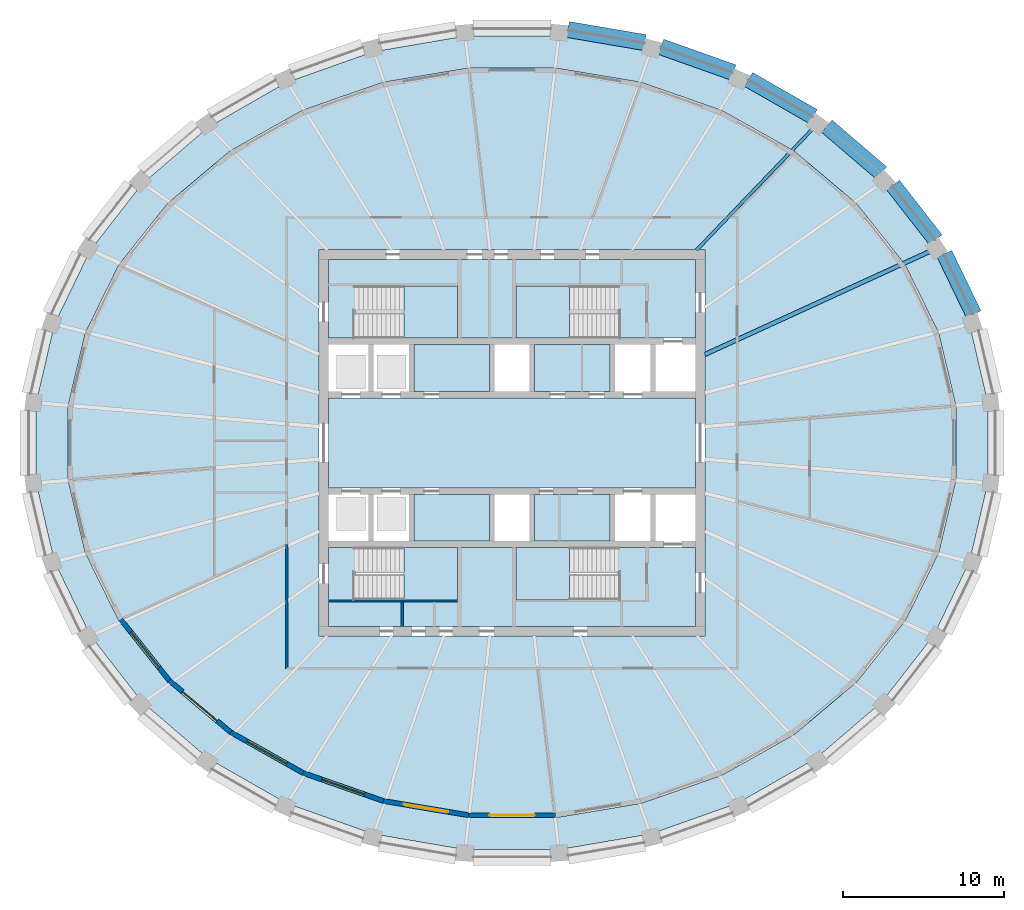
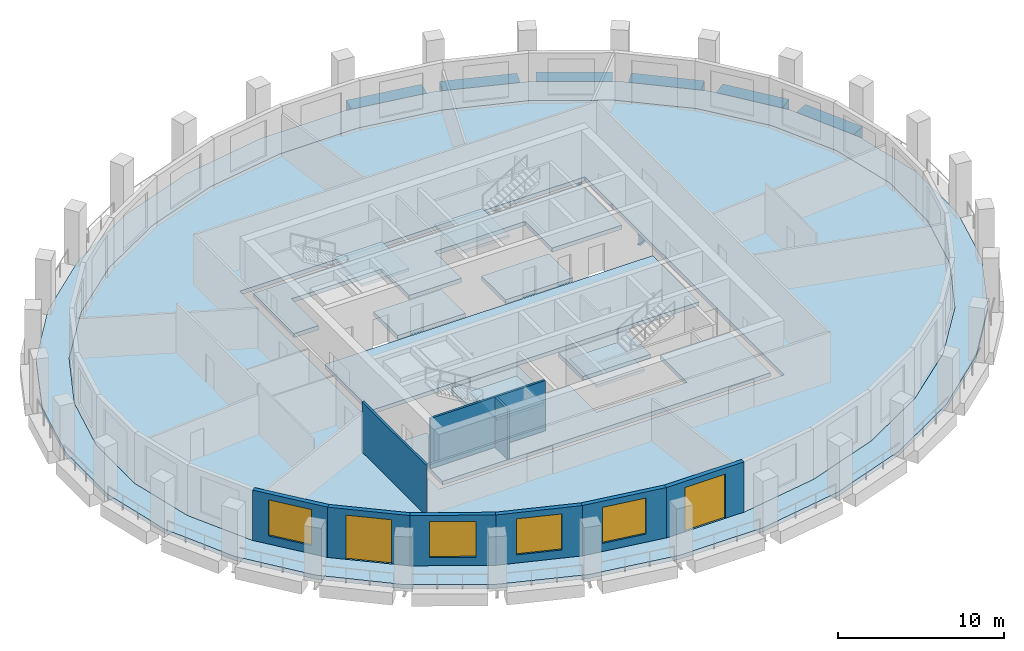
# One storey, part 2 of 10: 13 slabs, 9 walls, 8 beams, 4 windows, 2 doors, 6 openings, 4 elements without a shape of their own.
"""IFC4 building model written with IfcOpenShell, lengths in metres."""

import ifcopenshell
import ifcopenshell.guid

model = None  # the IFC model being written
_history = None  # IfcOwnerHistory: only IFC2X3 demands one
_inside = {}  # id of a spatial element -> (the spatial element, [elements in it])
_under = {}  # id of a project, library or spatial element -> (it, [spatial elements below it])
_declared = {}  # id of a project -> (the project, [libraries it declares])
_typed = {}  # id of a type object -> (the type object, [elements of that type])
_made_of = {}  # id of a material, layer set ... -> (it, [elements and type objects made of it])


def new_model(schema):
    """Start an empty IFC model of exactly this schema.

    Asked for "IFC4X3", IfcOpenShell would pick the latest addendum, in which some entities
    have other attributes; the version numbers below select the first issue.
    IFC2X3 requires an IfcOwnerHistory on every rooted entity: one is made here for all.
    """
    global model, _history
    if schema == "IFC4X3":
        model = ifcopenshell.file(schema_version=(4, 3, 0, 0))
    else:
        model = ifcopenshell.file(schema=schema)
    _inside.clear()
    _under.clear()
    _declared.clear()
    _typed.clear()
    _made_of.clear()
    _history = None
    if model.schema == "IFC2X3":
        org = make("IfcOrganization", Name="unknown")
        user = make(
            "IfcPersonAndOrganization",
            ThePerson=make("IfcPerson", FamilyName="unknown"),
            TheOrganization=org,
        )
        app = make(
            "IfcApplication",
            ApplicationDeveloper=org,
            Version="unknown",
            ApplicationFullName="unknown",
            ApplicationIdentifier="unknown",
        )
        _history = make(
            "IfcOwnerHistory",
            OwningUser=user,
            OwningApplication=app,
            ChangeAction="ADDED",
            CreationDate=0,
        )
    return model


def make(cls, **values):
    """One entity of the class cls with the attributes given. An attribute that is None is left unset."""
    return model.create_entity(
        cls, **{name: value for name, value in values.items() if value is not None}
    )


def rooted(cls, **values):
    """An entity with a GlobalId (a new one), such as an element, a storey or a relation."""
    return make(cls, GlobalId=ifcopenshell.guid.new(), OwnerHistory=_history, **values)


def si_unit(unit_type, name, prefix=None):
    """IfcSIUnit, for example si_unit("LENGTHUNIT", "METRE", prefix="MILLI")."""
    return make("IfcSIUnit", UnitType=unit_type, Prefix=prefix, Name=name)


def assignment(units):
    """IfcUnitAssignment: the units of a project."""
    return None if units is None else make("IfcUnitAssignment", Units=units)


def point(xyz):
    """IfcCartesianPoint."""
    return None if xyz is None else make("IfcCartesianPoint", Coordinates=xyz)


def direction(xyz):
    """IfcDirection."""
    return None if xyz is None else make("IfcDirection", DirectionRatios=xyz)


def frame(location, z_axis=None, x_axis=None):
    """IfcAxis2Placement3D, a coordinate frame: its origin and axes. An axis left out is left unset."""
    return make(
        "IfcAxis2Placement3D",
        Location=point(location),
        Axis=direction(z_axis),
        RefDirection=direction(x_axis),
    )


def frame_2d(location, x_axis=None):
    """IfcAxis2Placement2D, a coordinate frame in the plane: its origin and x axis."""
    return make(
        "IfcAxis2Placement2D", Location=point(location), RefDirection=direction(x_axis)
    )


def origin():
    """The frame at (0, 0, 0) with its axes left unset."""
    return frame((0.0, 0.0, 0.0))


def origin_2d():
    """The frame at (0, 0) in the plane with its x axis left unset."""
    return frame_2d((0.0, 0.0))


def place(relative_to, where):
    """IfcLocalPlacement: puts the frame where relative to a parent placement (None: the world)."""
    return make(
        "IfcLocalPlacement", PlacementRelTo=relative_to, RelativePlacement=where
    )


def context(
    kind, dimensions, precision=None, world=None, true_north=None, identifier=None
):
    """IfcGeometricRepresentationContext, for example the 3D "Model" context."""
    return make(
        "IfcGeometricRepresentationContext",
        ContextIdentifier=identifier,
        ContextType=kind,
        CoordinateSpaceDimension=dimensions,
        Precision=precision,
        WorldCoordinateSystem=world,
        TrueNorth=true_north,
    )


def subcontext(parent, identifier, kind, view, scale=None):
    """IfcGeometricRepresentationSubContext, for example "Body" below "Model"."""
    return make(
        "IfcGeometricRepresentationSubContext",
        ContextIdentifier=identifier,
        ContextType=kind,
        ParentContext=parent,
        TargetScale=scale,
        TargetView=view,
    )


def project(units=None, contexts=None):
    """IfcProject with its units and contexts."""
    return rooted(
        "IfcProject",
        Name="project",
        RepresentationContexts=contexts,
        UnitsInContext=assignment(units),
    )


def spatial(cls, under=None, at=None, **own):
    """A site, building, storey or space (cls), placed at a placement, below another one or the project."""
    s = rooted(cls, ObjectPlacement=at, **own)
    if under is not None:
        _under.setdefault(under.id(), (under, []))[1].append(s)
    return s


def polyline(points):
    """IfcPolyline through the points."""
    return make("IfcPolyline", Points=[point(p) for p in points])


def profile(cls, at=None, kind="AREA", **sizes):
    """A parametric profile (cls). Its sizes go by their IFC names, for example OverallWidth=200.0."""
    return make(cls, ProfileType=kind, Position=at, **sizes)


def rectangle(**sizes):
    """IfcRectangleProfileDef."""
    return profile("IfcRectangleProfileDef", **sizes)


def i_section(**sizes):
    """IfcIShapeProfileDef."""
    return profile("IfcIShapeProfileDef", **sizes)


def outline(outer, holes=None, kind="AREA"):
    """IfcArbitraryClosedProfileDef: a profile drawn as a closed curve; with holes, ...WithVoids."""
    if holes is None:
        return make("IfcArbitraryClosedProfileDef", ProfileType=kind, OuterCurve=outer)
    return make(
        "IfcArbitraryProfileDefWithVoids",
        ProfileType=kind,
        OuterCurve=outer,
        InnerCurves=holes,
    )


def extrude(swept, where, along, depth):
    """IfcExtrudedAreaSolid: the profile swept, set in the frame where, extruded along a direction by depth."""
    return make(
        "IfcExtrudedAreaSolid",
        SweptArea=swept,
        Position=where,
        ExtrudedDirection=direction(along),
        Depth=depth,
    )


def shape(context_of_items, identifier, shape_type, items):
    """IfcShapeRepresentation: the items that make up one representation, for example the "Body"."""
    return make(
        "IfcShapeRepresentation",
        ContextOfItems=context_of_items,
        RepresentationIdentifier=identifier,
        RepresentationType=shape_type,
        Items=items,
    )


def material(Name=None, Category=None):
    """IfcMaterial."""
    return make("IfcMaterial", Name=Name, Category=Category)


def layer(
    of_material, thickness, ventilated=None, Name=None, Category=None, Priority=None
):
    """IfcMaterialLayer: one layer of a wall or slab, of a material (None: an air gap)."""
    return make(
        "IfcMaterialLayer",
        Material=of_material,
        LayerThickness=thickness,
        IsVentilated=ventilated,
        Name=Name,
        Category=Category,
        Priority=Priority,
    )


def layer_set(layers, Name=None):
    """IfcMaterialLayerSet."""
    return make("IfcMaterialLayerSet", MaterialLayers=layers, LayerSetName=Name)


def material_profile(
    of_material, cross_section, Name=None, Category=None, Priority=None
):
    """IfcMaterialProfile: a cross section and its material."""
    return make(
        "IfcMaterialProfile",
        Name=Name,
        Material=of_material,
        Profile=cross_section,
        Priority=Priority,
        Category=Category,
    )


def profile_set(profiles, Name=None, composite=None):
    """IfcMaterialProfileSet."""
    return make(
        "IfcMaterialProfileSet",
        Name=Name,
        MaterialProfiles=profiles,
        CompositeProfile=composite,
    )


def made_of(thing, what):
    """Note that an element or type object is made of a material, layer set ...; save() writes the relation."""
    if what is not None:
        _made_of.setdefault(what.id(), (what, []))[1].append(thing)
    return thing


def type_object(cls, material=None, **own):
    """A type object (cls), such as IfcWallType, which elements share."""
    return made_of(rooted(cls, **own), material)


def element(
    cls,
    number,
    at=None,
    inside=None,
    cuts=None,
    type_object=None,
    material=None,
    context=None,
    identifier="Body",
    shape_type=None,
    held_by="IfcProductDefinitionShape",
    body=None,
    shapes=None,
    **own,
):
    """One element of the class cls, such as IfcWall. Its Tag is "e" and its number.

    at: its placement. inside: the storey or other place that contains it. cuts: it is an
    opening in that element (IfcRelVoidsElement). A single representation is given by context,
    identifier, shape_type and body (its items); several are given by shapes. held_by: the class
    of the entity that holds the representations. save() writes the other relations.
    """
    e = rooted(cls, Tag="e%d" % number, ObjectPlacement=at, **own)
    if body is not None:
        shapes = [shape(context, identifier, shape_type, body)]
    if shapes is not None:
        e.Representation = make(held_by, Representations=shapes)
    if inside is not None:
        _inside.setdefault(inside.id(), (inside, []))[1].append(e)
    if cuts is not None:
        rooted(
            "IfcRelVoidsElement", RelatingBuildingElement=cuts, RelatedOpeningElement=e
        )
    if type_object is not None:
        _typed.setdefault(type_object.id(), (type_object, []))[1].append(e)
    return made_of(e, material)


def fill(opening, filler):
    """IfcRelFillsElement: the door or window that sits in an opening."""
    return rooted(
        "IfcRelFillsElement",
        RelatingOpeningElement=opening,
        RelatedBuildingElement=filler,
    )


def aggregate(whole, parts):
    """IfcRelAggregates: a whole, such as a stair, and the parts it consists of."""
    return rooted("IfcRelAggregates", RelatingObject=whole, RelatedObjects=parts)


def save(model, path):
    """Write the relations noted so far, then the file.

    IfcRelAggregates (storeys below a building ...), IfcRelContainedInSpatialStructure (elements
    in a storey), IfcRelDefinesByType, IfcRelAssociatesMaterial and IfcRelDeclares: one each for
    every whole, place, type object, material and project.
    """
    for whole, parts in _under.values():
        aggregate(whole, parts)
    for where, things in _inside.values():
        rooted(
            "IfcRelContainedInSpatialStructure",
            RelatedElements=things,
            RelatingStructure=where,
        )
    for kind, things in _typed.values():
        rooted("IfcRelDefinesByType", RelatedObjects=things, RelatingType=kind)
    for what, things in _made_of.values():
        rooted("IfcRelAssociatesMaterial", RelatedObjects=things, RelatingMaterial=what)
    for by, libraries in _declared.values():
        rooted("IfcRelDeclares", RelatingContext=by, RelatedDefinitions=libraries)
    model.write(path)


model = new_model("IFC4")

# Units and contexts
model_context = context("Model", 3, precision=1e-05, world=origin(), true_north=direction((0.0, 1.0)))
body_context = subcontext(model_context, "Body", "Model", "MODEL_VIEW")
ifc_project = project(units=[si_unit("LENGTHUNIT", "METRE"), si_unit("AREAUNIT", "SQUARE_METRE"), si_unit("VOLUMEUNIT", "CUBIC_METRE"), si_unit("PLANEANGLEUNIT", "RADIAN"), si_unit("MASSUNIT", "GRAM", prefix="KILO")], contexts=[model_context])

# Site, building, storey
site_placement = place(None, origin())
site = spatial("IfcSite", under=ifc_project, at=site_placement, CompositionType="ELEMENT")
building_placement = place(site_placement, origin())
building = spatial("IfcBuilding", under=site, at=building_placement, Name="Halqa Exchange Tower", CompositionType="ELEMENT")
storey_placement = place(building_placement, frame((0.0, 0.0, 264.300048828125)))
storey = spatial("IfcBuildingStorey", under=building, at=storey_placement, Name="L61", CompositionType="ELEMENT", Elevation=264.300048828125)

# Beams
ifc_material_1 = material(Name="Steel S355", Category="steel")
ifc_material_profile_1 = material_profile(ifc_material_1, i_section(OverallWidth=0.18994140625, OverallDepth=0.449951171875, WebThickness=0.009521484375, FlangeThickness=0.0146484375, FilletRadius=0.02099609375, at=origin_2d()), Name="IPE 450")
ifc_profile_set_1 = profile_set([ifc_material_profile_1], Name="Steel S355")
beam_type_1 = type_object("IfcBeamType", Name="Floor beam IPE 450", PredefinedType="BEAM", material=ifc_profile_set_1)
beam_1_placement = place(storey_placement, frame((11.462890625, 11.97216796875, -0.525146484375), z_axis=(0.691571250257, 0.722308248477, 0.0), x_axis=(-0.722308248477, 0.691571250257, 0.0)))
element("IfcBeam", 1, at=beam_1_placement, inside=storey, type_object=beam_type_1, Name="Radial beam 5", PredefinedType="BEAM", context=body_context, shape_type="SweptSolid", body=[
    extrude(i_section(OverallWidth=0.18994140625, OverallDepth=0.449951171875, WebThickness=0.009521484375, FlangeThickness=0.0146484375, FilletRadius=0.02099609375, at=origin_2d()), origin(), (0.0, 0.0, 1.0), 10.8896484375),
])
ifc_material_profile_2 = material_profile(ifc_material_1, i_section(OverallWidth=0.264892578125, OverallDepth=0.7529296875, WebThickness=0.01318359375, FlangeThickness=0.01708984375, FilletRadius=0.01708984375, at=origin_2d()), Name="IPE 750x147")
ifc_profile_set_2 = profile_set([ifc_material_profile_2], Name="Steel S355")
beam_type_2 = type_object("IfcBeamType", Name="Floor beam IPE 750x147", PredefinedType="BEAM", material=ifc_profile_set_2)
beam_2_placement = place(storey_placement, frame((11.972412109375, 5.485107421875, -0.676513671875), z_axis=(0.909125405475, 0.416522504938, 0.0), x_axis=(-0.416522504938, 0.909125405475, 0.0)))
element("IfcBeam", 2, at=beam_2_placement, inside=storey, type_object=beam_type_2, Name="Radial beam 3", PredefinedType="BEAM", context=body_context, shape_type="SweptSolid", body=[
    extrude(i_section(OverallWidth=0.264892578125, OverallDepth=0.7529296875, WebThickness=0.01318359375, FlangeThickness=0.01708984375, FilletRadius=0.01708984375, at=origin_2d()), origin(), (0.0, 0.0, 1.0), 15.897216796875),
])
ifc_material_2 = material(Name="Concrete C60/75", Category="concrete")
ifc_material_profile_3 = material_profile(ifc_material_2, rectangle(XDim=1.0, YDim=0.89990234375, at=origin_2d()), Name="1000 x 900")
ifc_profile_set_3 = profile_set([ifc_material_profile_3], Name="Concrete C60/75")
beam_type_3 = type_object("IfcBeamType", Name="RC spandrel beam 1000 x 900 C60/75", PredefinedType="SPANDREL", material=ifc_profile_set_3)
beam_3_placement = place(storey_placement, frame((28.68115234375, 7.989501953125, -0.449951171875), z_axis=(-0.435052831025, 0.900404927917, 0.0), x_axis=(-0.900404927917, -0.435052831025, 0.0)))
element("IfcBeam", 3, at=beam_3_placement, inside=storey, type_object=beam_type_3, Name="Spandrel 2", PredefinedType="SPANDREL", context=body_context, shape_type="SweptSolid", body=[
    extrude(rectangle(XDim=1.0, YDim=0.89990234375, at=origin_2d()), origin(), (0.0, 0.0, 1.0), 4.15771484375),
])
beam_4_placement = place(storey_placement, frame((26.32080078125, 12.62060546875, -0.449951171875), z_axis=(-0.614851813623, 0.788642661339, 0.0), x_axis=(-0.788642661339, -0.614851813623, 0.0)))
element("IfcBeam", 4, at=beam_4_placement, inside=storey, type_object=beam_type_3, Name="Spandrel 3", PredefinedType="SPANDREL", context=body_context, shape_type="SweptSolid", body=[
    extrude(rectangle(XDim=1.0, YDim=0.89990234375, at=origin_2d()), origin(), (0.0, 0.0, 1.0), 4.301513671875),
])
beam_5_placement = place(storey_placement, frame((22.955078125, 16.7685546875, -0.449951171875), z_axis=(-0.75927203536, 0.650773367864, 0.0), x_axis=(-0.650773367864, -0.75927203536, 0.0)))
element("IfcBeam", 5, at=beam_5_placement, inside=storey, type_object=beam_type_3, Name="Spandrel 4", PredefinedType="SPANDREL", context=body_context, shape_type="SweptSolid", body=[
    extrude(rectangle(XDim=1.0, YDim=0.89990234375, at=origin_2d()), origin(), (0.0, 0.0, 1.0), 4.466552734375),
])
beam_6_placement = place(storey_placement, frame((18.7109375, 20.277099609375, -0.449951171875), z_axis=(-0.867755612748, 0.496991143326, 0.0), x_axis=(-0.496991143326, -0.867755612748, 0.0)))
element("IfcBeam", 6, at=beam_6_placement, inside=storey, type_object=beam_type_3, Name="Spandrel 5", PredefinedType="SPANDREL", context=body_context, shape_type="SweptSolid", body=[
    extrude(rectangle(XDim=1.0, YDim=0.89990234375, at=origin_2d()), origin(), (0.0, 0.0, 1.0), 4.62646484375),
])
beam_7_placement = place(storey_placement, frame((13.747802734375, 23.01220703125, -0.449951171875), z_axis=(-0.942372957307, 0.334564208094, 0.0), x_axis=(-0.334564208094, -0.942372957307, 0.0)))
element("IfcBeam", 7, at=beam_7_placement, inside=storey, type_object=beam_type_3, Name="Spandrel 6", PredefinedType="SPANDREL", context=body_context, shape_type="SweptSolid", body=[
    extrude(rectangle(XDim=1.0, YDim=0.89990234375, at=origin_2d()), origin(), (0.0, 0.0, 1.0), 4.7578125),
])
beam_8_placement = place(storey_placement, frame((8.252685546875, 24.867919921875, -0.449951171875), z_axis=(-0.985781051948, 0.168034870249, 0.0), x_axis=(-0.168034870249, -0.985781051948, 0.0)))
element("IfcBeam", 8, at=beam_8_placement, inside=storey, type_object=beam_type_3, Name="Spandrel 7", PredefinedType="SPANDREL", context=body_context, shape_type="SweptSolid", body=[
    extrude(rectangle(XDim=1.0, YDim=0.89990234375, at=origin_2d()), origin(), (0.0, 0.0, 1.0), 4.843994140625),
])

# Slabs
ifc_layer_1 = layer(ifc_material_2, 0.300048828125)
ifc_layer_set_1 = layer_set([ifc_layer_1], Name="Concrete C60/75")
slab_type_1 = type_object("IfcSlabType", Name="Core floor slab 300", PredefinedType="FLOOR", material=ifc_layer_set_1)
slab_1_placement = place(storey_placement, frame((0.0, 0.0, -0.300048828125)))
element("IfcSlab", 9, at=slab_1_placement, inside=storey, type_object=slab_type_1, Name="Core floor slab", PredefinedType="FLOOR", context=body_context, shape_type="SweptSolid", body=[
    extrude(outline(polyline([(-11.39990234375, 2.800048828125), (11.39990234375, 2.800048828125), (11.39990234375, -2.800048828125), (-11.39990234375, -2.800048828125), (-11.39990234375, 2.800048828125)])), origin(), (0.0, 0.0, 1.0), 0.300048828125),
])
slab_2_placement = place(storey_placement, frame((0.0, 0.0, -0.300048828125)))
element("IfcSlab", 10, at=slab_2_placement, inside=storey, type_object=slab_type_1, Name="Core floor slab", PredefinedType="FLOOR", context=body_context, shape_type="SweptSolid", body=[
    extrude(outline(polyline([(-11.39990234375, 11.39990234375), (11.39990234375, 11.39990234375), (11.39990234375, 6.5), (6.550048828125, 6.5), (6.550048828125, 9.75), (0.25, 9.75), (0.25, 6.5), (-3.39990234375, 6.5), (-3.39990234375, 9.75), (-9.699951171875, 9.75), (-9.699951171875, 6.5), (-11.39990234375, 6.5), (-11.39990234375, 11.39990234375)])), origin(), (0.0, 0.0, 1.0), 0.300048828125),
])
slab_3_placement = place(storey_placement, frame((0.0, 0.0, -0.300048828125)))
element("IfcSlab", 11, at=slab_3_placement, inside=storey, type_object=slab_type_1, Name="Core floor slab", PredefinedType="FLOOR", context=body_context, shape_type="SweptSolid", body=[
    extrude(outline(polyline([(-11.39990234375, -6.5), (-9.699951171875, -6.5), (-9.699951171875, -9.75), (-3.39990234375, -9.75), (-3.39990234375, -6.5), (0.25, -6.5), (0.25, -9.75), (6.550048828125, -9.75), (6.550048828125, -6.5), (11.39990234375, -6.5), (11.39990234375, -11.39990234375), (-11.39990234375, -11.39990234375), (-11.39990234375, -6.5)])), origin(), (0.0, 0.0, 1.0), 0.300048828125),
])
slab_4_placement = place(storey_placement, frame((0.0, 0.0, -0.300048828125)))
element("IfcSlab", 12, at=slab_4_placement, inside=storey, type_object=slab_type_1, Name="Core floor slab", PredefinedType="FLOOR", context=body_context, shape_type="SweptSolid", body=[
    extrude(outline(polyline([(-1.39990234375, -3.199951171875), (-1.39990234375, -6.10009765625), (-6.10009765625, -6.10009765625), (-6.10009765625, -3.199951171875), (-1.39990234375, -3.199951171875)])), origin(), (0.0, 0.0, 1.0), 0.300048828125),
])
slab_5_placement = place(storey_placement, frame((0.0, 0.0, -0.300048828125)))
element("IfcSlab", 13, at=slab_5_placement, inside=storey, type_object=slab_type_1, Name="Core floor slab", PredefinedType="FLOOR", context=body_context, shape_type="SweptSolid", body=[
    extrude(outline(polyline([(-1.39990234375, 3.199951171875), (-6.10009765625, 3.199951171875), (-6.10009765625, 6.10009765625), (-1.39990234375, 6.10009765625), (-1.39990234375, 3.199951171875)])), origin(), (0.0, 0.0, 1.0), 0.300048828125),
])
slab_6_placement = place(storey_placement, frame((0.0, 0.0, -0.300048828125)))
element("IfcSlab", 14, at=slab_6_placement, inside=storey, type_object=slab_type_1, Name="Core floor slab", PredefinedType="FLOOR", context=body_context, shape_type="SweptSolid", body=[
    extrude(outline(polyline([(6.10009765625, -3.199951171875), (6.10009765625, -6.10009765625), (1.39990234375, -6.10009765625), (1.39990234375, -3.199951171875), (6.10009765625, -3.199951171875)])), origin(), (0.0, 0.0, 1.0), 0.300048828125),
])
slab_7_placement = place(storey_placement, frame((0.0, 0.0, -0.300048828125)))
element("IfcSlab", 15, at=slab_7_placement, inside=storey, type_object=slab_type_1, Name="Core floor slab", PredefinedType="FLOOR", context=body_context, shape_type="SweptSolid", body=[
    extrude(outline(polyline([(6.10009765625, 6.10009765625), (6.10009765625, 3.199951171875), (1.39990234375, 3.199951171875), (1.39990234375, 6.10009765625), (6.10009765625, 6.10009765625)])), origin(), (0.0, 0.0, 1.0), 0.300048828125),
])
ifc_material_3 = material(Name="Concrete C40/50", Category="concrete")
ifc_layer_2 = layer(ifc_material_3, 0.300048828125)
ifc_layer_set_2 = layer_set([ifc_layer_2], Name="Concrete C40/50")
slab_type_2 = type_object("IfcSlabType", Name="RC floor slab 300", PredefinedType="FLOOR", material=ifc_layer_set_2)
slab_8_placement = place(storey_placement, frame((0.0, 0.0, -0.300048828125)))
element("IfcSlab", 16, at=slab_8_placement, inside=storey, type_object=slab_type_2, Name="Floor slab", PredefinedType="FLOOR", context=body_context, shape_type="SweptSolid", body=[
    extrude(outline(polyline([(27.57861328125, 2.298583984375), (26.514404296875, 6.805908203125), (24.428955078125, 11.048095703125), (21.40478515625, 14.861083984375), (17.560791015625, 18.10009765625), (13.045166015625, 20.64208984375), (8.031494140625, 22.391845703125), (2.711669921875, 23.283447265625), (-2.711669921875, 23.283447265625), (-8.031494140625, 22.391845703125), (-13.045166015625, 20.64208984375), (-17.560791015625, 18.10009765625), (-21.40478515625, 14.861083984375), (-24.428955078125, 11.048095703125), (-26.514404296875, 6.805908203125), (-27.57861328125, 2.298583984375), (-27.57861328125, -2.298583984375), (-26.514404296875, -6.805908203125), (-24.428955078125, -11.048095703125), (-21.40478515625, -14.861083984375), (-17.560791015625, -18.10009765625), (-13.045166015625, -20.64208984375), (-8.031494140625, -22.391845703125), (-2.711669921875, -23.283447265625), (2.711669921875, -23.283447265625), (8.031494140625, -22.391845703125), (13.045166015625, -20.64208984375), (17.560791015625, -18.10009765625), (21.40478515625, -14.861083984375), (24.428955078125, -11.048095703125), (26.514404296875, -6.805908203125), (27.57861328125, -2.298583984375), (27.57861328125, 2.298583984375)]), holes=[polyline([(-12.0, -12.0), (12.0, -12.0), (12.0, 12.0), (-12.0, 12.0), (-12.0, -12.0)])]), origin(), (0.0, 0.0, 1.0), 0.300048828125),
])
ifc_layer_3 = layer(ifc_material_3, 0.300048828125)
ifc_layer_set_3 = layer_set([ifc_layer_3], Name="Concrete C40/50")
slab_type_3 = type_object("IfcSlabType", Name="RC loggia slab 300", PredefinedType="FLOOR", material=ifc_layer_set_3)
slab_9_placement = place(storey_placement, frame((0.0, 0.0, -0.300048828125)))
element("IfcSlab", 17, at=slab_9_placement, inside=storey, type_object=slab_type_3, Name="Loggia slab", PredefinedType="FLOOR", context=body_context, shape_type="SweptSolid", body=[
    extrude(outline(polyline([(29.56494140625, 2.480712890625), (29.56494140625, -2.480712890625), (28.43505859375, -7.349609375), (26.21630859375, -11.94140625), (22.989501953125, -16.080322265625), (18.875732421875, -19.6064453125), (14.031494140625, -22.380859375), (8.64306640625, -24.294189453125), (2.918701171875, -25.27001953125), (-2.918701171875, -25.27001953125), (-8.64306640625, -24.294189453125), (-14.031494140625, -22.380859375), (-18.875732421875, -19.6064453125), (-22.989501953125, -16.080322265625), (-26.21630859375, -11.94140625), (-28.43505859375, -7.349609375), (-29.56494140625, -2.480712890625), (-29.56494140625, 2.480712890625), (-28.43505859375, 7.349609375), (-26.21630859375, 11.94140625), (-22.989501953125, 16.080322265625), (-18.875732421875, 19.6064453125), (-14.031494140625, 22.380859375), (-8.64306640625, 24.294189453125), (-2.918701171875, 25.27001953125), (2.918701171875, 25.27001953125), (8.64306640625, 24.294189453125), (14.031494140625, 22.380859375), (18.875732421875, 19.6064453125), (22.989501953125, 16.080322265625), (26.21630859375, 11.94140625), (28.43505859375, 7.349609375), (29.56494140625, 2.480712890625)]), holes=[polyline([(27.57861328125, 2.298583984375), (26.514404296875, 6.805908203125), (24.428955078125, 11.048095703125), (21.40478515625, 14.861083984375), (17.560791015625, 18.10009765625), (13.045166015625, 20.64208984375), (8.031494140625, 22.391845703125), (2.711669921875, 23.283447265625), (-2.711669921875, 23.283447265625), (-8.031494140625, 22.391845703125), (-13.045166015625, 20.64208984375), (-17.560791015625, 18.10009765625), (-21.40478515625, 14.861083984375), (-24.428955078125, 11.048095703125), (-26.514404296875, 6.805908203125), (-27.57861328125, 2.298583984375), (-27.57861328125, -2.298583984375), (-26.514404296875, -6.805908203125), (-24.428955078125, -11.048095703125), (-21.40478515625, -14.861083984375), (-17.560791015625, -18.10009765625), (-13.045166015625, -20.64208984375), (-8.031494140625, -22.391845703125), (-2.711669921875, -23.283447265625), (2.711669921875, -23.283447265625), (8.031494140625, -22.391845703125), (13.045166015625, -20.64208984375), (17.560791015625, -18.10009765625), (21.40478515625, -14.861083984375), (24.428955078125, -11.048095703125), (26.514404296875, -6.805908203125), (27.57861328125, -2.298583984375), (27.57861328125, 2.298583984375)])]), origin(), (0.0, 0.0, 1.0), 0.300048828125),
])

# Stair, slab
ifc_material_4 = material(Name="Concrete C30/37", Category="concrete")
stair_type = type_object("IfcStairType", Name="Exit stair 1500 wide", PredefinedType="HALF_TURN_STAIR", material=ifc_material_4)
stair_1_placement = place(storey_placement, origin())
stair_1 = element("IfcStair", 18, at=stair_1_placement, inside=storey, type_object=stair_type, Name="Exit stair ST1", PredefinedType="HALF_TURN_STAIR")
ifc_layer_4 = layer(ifc_material_4, 0.199951171875)
ifc_layer_set_4 = layer_set([ifc_layer_4], Name="Concrete C30/37")
slab_type_4 = type_object("IfcSlabType", Name="Stair landing 200 slab", PredefinedType="LANDING", material=ifc_layer_set_4)
slab_10_placement = place(storey_placement, frame((0.0, 0.0, 1.800048828125)))
slab_10 = element("IfcSlab", 19, at=slab_10_placement, type_object=slab_type_4, Name="ST1 landing 1", PredefinedType="LANDING", context=body_context, shape_type="SweptSolid", body=[
    extrude(outline(polyline([(-6.719970703125, 6.5), (-3.39990234375, 6.5), (-3.39990234375, 9.75), (-6.719970703125, 9.75), (-6.719970703125, 6.5)])), origin(), (0.0, 0.0, 1.0), 0.199951171875),
])
aggregate(stair_1, [slab_10])

stair_2_placement = place(storey_placement, origin())
stair_2 = element("IfcStair", 20, at=stair_2_placement, inside=storey, type_object=stair_type, Name="Exit stair ST2", PredefinedType="HALF_TURN_STAIR")
slab_11_placement = place(storey_placement, frame((0.0, 0.0, 1.800048828125)))
slab_11 = element("IfcSlab", 21, at=slab_11_placement, type_object=slab_type_4, Name="ST2 landing 1", PredefinedType="LANDING", context=body_context, shape_type="SweptSolid", body=[
    extrude(outline(polyline([(0.25, 6.5), (3.570068359375, 6.5), (3.570068359375, 9.75), (0.25, 9.75), (0.25, 6.5)])), origin(), (0.0, 0.0, 1.0), 0.199951171875),
])
aggregate(stair_2, [slab_11])

stair_3_placement = place(storey_placement, origin())
stair_3 = element("IfcStair", 22, at=stair_3_placement, inside=storey, type_object=stair_type, Name="Exit stair ST3", PredefinedType="HALF_TURN_STAIR")
slab_12_placement = place(storey_placement, frame((0.0, 0.0, 1.800048828125)))
slab_12 = element("IfcSlab", 23, at=slab_12_placement, type_object=slab_type_4, Name="ST3 landing 1", PredefinedType="LANDING", context=body_context, shape_type="SweptSolid", body=[
    extrude(outline(polyline([(-6.719970703125, -9.75), (-3.39990234375, -9.75), (-3.39990234375, -6.5), (-6.719970703125, -6.5), (-6.719970703125, -9.75)])), origin(), (0.0, 0.0, 1.0), 0.199951171875),
])
aggregate(stair_3, [slab_12])

stair_4_placement = place(storey_placement, origin())
stair_4 = element("IfcStair", 24, at=stair_4_placement, inside=storey, type_object=stair_type, Name="Exit stair ST4", PredefinedType="HALF_TURN_STAIR")
slab_13_placement = place(storey_placement, frame((0.0, 0.0, 1.800048828125)))
slab_13 = element("IfcSlab", 25, at=slab_13_placement, type_object=slab_type_4, Name="ST4 landing 1", PredefinedType="LANDING", context=body_context, shape_type="SweptSolid", body=[
    extrude(outline(polyline([(0.25, -9.75), (3.570068359375, -9.75), (3.570068359375, -6.5), (0.25, -6.5), (0.25, -9.75)])), origin(), (0.0, 0.0, 1.0), 0.199951171875),
])
aggregate(stair_4, [slab_13])

# Walls
ifc_material_5 = material(Name="Fire-rated gypsum board")
ifc_layer_5 = layer(ifc_material_5, 0.14990234375)
ifc_layer_set_5 = layer_set([ifc_layer_5], Name="Fire-rated gypsum board")
wall_type_1 = type_object("IfcWallType", Name="Fire partition EI 60 150", PredefinedType="PARTITIONING", material=ifc_layer_set_5)
wall_1_placement = place(storey_placement, frame((-14.0, -14.074951171875, 0.0), z_axis=(0.0, 0.0, 1.0), x_axis=(0.0, 1.0, 0.0)))
element("IfcWall", 26, at=wall_1_placement, inside=storey, type_object=wall_type_1, Name="L61-PWL-006", PredefinedType="PARTITIONING", context=body_context, shape_type="SweptSolid", body=[
    extrude(outline(polyline([(7.77490234375, 0.074951171875), (5.8310546875, 0.074951171875), (3.887451171875, 0.074951171875), (1.94384765625, 0.074951171875), (0.0, 0.074951171875), (0.14990234375, -0.074951171875), (2.05615234375, -0.074951171875), (3.96240234375, -0.074951171875), (5.86865234375, -0.074951171875), (7.77490234375, -0.074951171875), (7.77490234375, 0.074951171875)])), origin(), (0.0, 0.0, 1.0), 3.699951171875),
])
ifc_material_6 = material(Name="Gypsum board")
ifc_layer_6 = layer(ifc_material_6, 0.14990234375)
ifc_layer_set_6 = layer_set([ifc_layer_6], Name="Gypsum board")
wall_type_2 = type_object("IfcWallType", Name="Penthouse riser wall 150 gypsum", PredefinedType="PARTITIONING", material=ifc_layer_set_6)
wall_2_placement = place(storey_placement, frame((-6.824951171875, -11.39990234375, 0.0), z_axis=(0.0, 0.0, 1.0), x_axis=(0.0, 1.0, 0.0)))
element("IfcWall", 27, at=wall_2_placement, inside=storey, type_object=wall_type_2, Name="Partition W6.825 S", PredefinedType="PARTITIONING", context=body_context, shape_type="SweptSolid", body=[
    extrude(rectangle(XDim=1.5, YDim=0.14990234375, at=frame_2d((0.75, 0.0))), origin(), (0.0, 0.0, 1.0), 3.699951171875),
])
ifc_layer_7 = layer(ifc_material_4, 0.14990234375)
ifc_layer_set_7 = layer_set([ifc_layer_7], Name="Concrete C30/37")
wall_type_3 = type_object("IfcWallType", Name="RC stair wall 150 C30/37", PredefinedType="SHEAR", material=ifc_layer_set_7)
wall_3_placement = place(storey_placement, frame((-11.39990234375, -9.824951171875, 0.0), z_axis=(0.0, 0.0, 1.0), x_axis=(1.0, 0.0, 0.0)))
element("IfcWall", 28, at=wall_3_placement, inside=storey, type_object=wall_type_3, Name="Stair ST1 north wall S", PredefinedType="SHEAR", context=body_context, shape_type="SweptSolid", body=[
    extrude(rectangle(XDim=8.0, YDim=0.14990234375, at=frame_2d((4.0, 0.0))), origin(), (0.0, 0.0, 1.0), 3.699951171875),
])

# Wall, opening, window
ifc_material_7 = material(Name="Limestone cladding", Category="masonry")
ifc_layer_8 = layer(ifc_material_7, 0.0400390625)
ifc_material_8 = material(Name="Ventilated cavity")
ifc_layer_9 = layer(ifc_material_8, 0.030029296875, ventilated=True)
ifc_material_9 = material(Name="Mineral wool insulation")
ifc_layer_10 = layer(ifc_material_9, 0.10009765625)
ifc_layer_11 = layer(ifc_material_4, 0.10009765625)
ifc_material_10 = material(Name="Internal plaster")
ifc_layer_12 = layer(ifc_material_10, 0.030029296875)
ifc_layer_set_8 = layer_set([ifc_layer_8, ifc_layer_9, ifc_layer_10, ifc_layer_11, ifc_layer_12], Name="Stone-faced insulated wall 300")
wall_type_4 = type_object("IfcWallType", Name="Stone-faced insulated wall 300", PredefinedType="STANDARD", material=ifc_layer_set_8)
wall_4_placement = place(storey_placement, frame((-24.301513671875, -10.96728515625, 0.0), z_axis=(0.0, 0.0, 1.0), x_axis=(0.621358373565, -0.783526497063, 0.0)))
wall_4 = element("IfcWall", 29, at=wall_4_placement, inside=storey, type_object=wall_type_4, Name="Glass-line wall 19", PredefinedType="STANDARD", context=body_context, shape_type="SweptSolid", body=[
    extrude(outline(polyline([(-0.01611328125, -0.14990234375), (4.850830078125, -0.14990234375), (4.820556640625, 0.14990234375), (0.01611328125, 0.14990234375), (-0.01611328125, -0.14990234375)])), origin(), (0.0, 0.0, 1.0), 3.699951171875),
])
opening_1_placement = place(wall_4_placement, frame((1.017578125, 0.0, 0.60009765625)))
opening_1 = element("IfcOpeningElement", 30, at=opening_1_placement, cuts=wall_4, Name="Opening W-F4-19", PredefinedType="OPENING", context=body_context, shape_type="SweptSolid", body=[
    extrude(rectangle(XDim=2.800048828125, YDim=2.64990234375, at=frame_2d((1.39990234375, 1.324951171875))), frame((0.0, 0.162109375, 0.0), z_axis=(0.0, -1.0, 0.0), x_axis=(1.0, 0.0, 0.0)), (0.0, 0.0, 1.0), 0.323974609375),
])
ifc_material_11 = material(Name="Clear low-emissivity glass in aluminium frame", Category="aluminium")
window_type = type_object("IfcWindowType", Name="Fixed clear glazed window 2800 x 2650", PartitioningType="DOUBLE_PANEL_VERTICAL", PredefinedType="WINDOW", material=ifc_material_11)
window_1_placement = place(opening_1_placement, origin())
window_1 = element("IfcWindow", 31, at=window_1_placement, inside=storey, type_object=window_type, Name="Window 4", OverallHeight=2.64990234375, OverallWidth=2.800048828125, PartitioningType="DOUBLE_PANEL_VERTICAL", PredefinedType="WINDOW", context=body_context, shape_type="SweptSolid", body=[
    extrude(rectangle(XDim=2.800048828125, YDim=2.64990234375, at=frame_2d((1.39990234375, 1.324951171875))), frame((0.0, 0.030029296875, 0.0), z_axis=(0.0, -1.0, 0.0), x_axis=(1.0, 0.0, 0.0)), (0.0, 0.0, 1.0), 0.06005859375),
])
fill(opening_1, window_1)

# Wall, opening, door
wall_5_placement = place(storey_placement, frame((-21.296875, -14.756103515625, 0.0), z_axis=(0.0, 0.0, 1.0), x_axis=(0.764746492461, -0.644331283013, 0.0)))
wall_5 = element("IfcWall", 32, at=wall_5_placement, inside=storey, type_object=wall_type_4, Name="Glass-line wall 20", PredefinedType="STANDARD", context=body_context, shape_type="SweptSolid", body=[
    extrude(outline(polyline([(-0.01513671875, -0.14990234375), (5.011962890625, -0.14990234375), (4.983642578125, 0.14990234375), (0.01513671875, 0.14990234375), (-0.01513671875, -0.14990234375)])), origin(), (0.0, 0.0, 1.0), 3.699951171875),
])
opening_2_placement = place(wall_5_placement, frame((1.098876953125, 0.0, 0.0)))
opening_2 = element("IfcOpeningElement", 33, at=opening_2_placement, cuts=wall_5, Name="Opening LG-F4-05", PredefinedType="OPENING", context=body_context, shape_type="SweptSolid", body=[
    extrude(rectangle(XDim=2.800048828125, YDim=3.25, at=frame_2d((1.39990234375, 1.625))), frame((0.0, 0.162109375, 0.0), z_axis=(0.0, -1.0, 0.0), x_axis=(1.0, 0.0, 0.0)), (0.0, 0.0, 1.0), 0.323974609375),
])
door_type = type_object("IfcDoorType", Name="Glazed sliding loggia door 2800 x 3250", OperationType="DOUBLE_DOOR_SLIDING", PredefinedType="DOOR", material=ifc_material_11)
door_1_placement = place(opening_2_placement, origin())
door_1 = element("IfcDoor", 34, at=door_1_placement, inside=storey, type_object=door_type, Name="Loggia door 5", OperationType="DOUBLE_DOOR_SLIDING", OverallHeight=3.25, OverallWidth=2.800048828125, PredefinedType="DOOR", context=body_context, shape_type="SweptSolid", body=[
    extrude(rectangle(XDim=2.800048828125, YDim=3.25, at=frame_2d((1.39990234375, 1.625))), frame((0.0, 0.02490234375, 0.0), z_axis=(0.0, -1.0, 0.0), x_axis=(1.0, 0.0, 0.0)), (0.0, 0.0, 1.0), 0.050048828125),
])
fill(opening_2, door_1)

# Wall, opening, window
wall_6_placement = place(storey_placement, frame((-17.474853515625, -17.976318359375, 0.0), z_axis=(0.0, 0.0, 1.0), x_axis=(0.871411047742, -0.490553550465, 0.0)))
wall_6 = element("IfcWall", 35, at=wall_6_placement, inside=storey, type_object=wall_type_4, Name="Glass-line wall 21", PredefinedType="STANDARD", context=body_context, shape_type="SweptSolid", body=[
    extrude(outline(polyline([(-0.01416015625, -0.14990234375), (5.16796875, -0.14990234375), (5.14111328125, 0.14990234375), (0.01416015625, 0.14990234375), (-0.01416015625, -0.14990234375)])), origin(), (0.0, 0.0, 1.0), 3.699951171875),
])
opening_3_placement = place(wall_6_placement, frame((1.17724609375, 0.0, 0.60009765625)))
opening_3 = element("IfcOpeningElement", 36, at=opening_3_placement, cuts=wall_6, Name="Opening W-F4-21", PredefinedType="OPENING", context=body_context, shape_type="SweptSolid", body=[
    extrude(rectangle(XDim=2.800048828125, YDim=2.64990234375, at=frame_2d((1.39990234375, 1.324951171875))), frame((0.0, 0.162109375, 0.0), z_axis=(0.0, -1.0, 0.0), x_axis=(1.0, 0.0, 0.0)), (0.0, 0.0, 1.0), 0.323974609375),
])
window_2_placement = place(opening_3_placement, origin())
window_2 = element("IfcWindow", 37, at=window_2_placement, inside=storey, type_object=window_type, Name="Window 4", OverallHeight=2.64990234375, OverallWidth=2.800048828125, PartitioningType="DOUBLE_PANEL_VERTICAL", PredefinedType="WINDOW", context=body_context, shape_type="SweptSolid", body=[
    extrude(rectangle(XDim=2.800048828125, YDim=2.64990234375, at=frame_2d((1.39990234375, 1.324951171875))), frame((0.0, 0.030029296875, 0.0), z_axis=(0.0, -1.0, 0.0), x_axis=(1.0, 0.0, 0.0)), (0.0, 0.0, 1.0), 0.06005859375),
])
fill(opening_3, window_2)

wall_7_placement = place(storey_placement, frame((-12.983154296875, -20.5048828125, 0.0), z_axis=(0.0, 0.0, 1.0), x_axis=(0.944149712872, -0.32951679727, 0.0)))
wall_7 = element("IfcWall", 38, at=wall_7_placement, inside=storey, type_object=wall_type_4, Name="Glass-line wall 22", PredefinedType="STANDARD", context=body_context, shape_type="SweptSolid", body=[
    extrude(outline(polyline([(-0.013427734375, -0.14990234375), (5.296875, -0.14990234375), (5.271484375, 0.14990234375), (0.013427734375, 0.14990234375), (-0.013427734375, -0.14990234375)])), origin(), (0.0, 0.0, 1.0), 3.699951171875),
])
opening_4_placement = place(wall_7_placement, frame((1.241943359375, 0.0, 0.60009765625)))
opening_4 = element("IfcOpeningElement", 39, at=opening_4_placement, cuts=wall_7, Name="Opening W-F4-22", PredefinedType="OPENING", context=body_context, shape_type="SweptSolid", body=[
    extrude(rectangle(XDim=2.800048828125, YDim=2.64990234375, at=frame_2d((1.39990234375, 1.324951171875))), frame((0.0, 0.162109375, 0.0), z_axis=(0.0, -1.0, 0.0), x_axis=(1.0, 0.0, 0.0)), (0.0, 0.0, 1.0), 0.323974609375),
])
window_3_placement = place(opening_4_placement, origin())
window_3 = element("IfcWindow", 40, at=window_3_placement, inside=storey, type_object=window_type, Name="Window 4", OverallHeight=2.64990234375, OverallWidth=2.800048828125, PartitioningType="DOUBLE_PANEL_VERTICAL", PredefinedType="WINDOW", context=body_context, shape_type="SweptSolid", body=[
    extrude(rectangle(XDim=2.800048828125, YDim=2.64990234375, at=frame_2d((1.39990234375, 1.324951171875))), frame((0.0, 0.030029296875, 0.0), z_axis=(0.0, -1.0, 0.0), x_axis=(1.0, 0.0, 0.0)), (0.0, 0.0, 1.0), 0.06005859375),
])
fill(opening_4, window_3)

wall_8_placement = place(storey_placement, frame((-7.994140625, -22.24609375, 0.0), z_axis=(0.0, 0.0, 1.0), x_axis=(0.986243571741, -0.165298569867, 0.0)))
wall_8 = element("IfcWall", 41, at=wall_8_placement, inside=storey, type_object=wall_type_4, Name="Glass-line wall 23", PredefinedType="STANDARD", context=body_context, shape_type="SweptSolid", body=[
    extrude(outline(polyline([(-0.0126953125, -0.14990234375), (5.38134765625, -0.14990234375), (5.3564453125, 0.14990234375), (0.0126953125, 0.14990234375), (-0.0126953125, -0.14990234375)])), origin(), (0.0, 0.0, 1.0), 3.699951171875),
])
opening_5_placement = place(wall_8_placement, frame((1.284423828125, 0.0, 0.60009765625)))
opening_5 = element("IfcOpeningElement", 42, at=opening_5_placement, cuts=wall_8, Name="Opening W-F4-23", PredefinedType="OPENING", context=body_context, shape_type="SweptSolid", body=[
    extrude(rectangle(XDim=2.800048828125, YDim=2.64990234375, at=frame_2d((1.39990234375, 1.324951171875))), frame((0.0, 0.162109375, 0.0), z_axis=(0.0, -1.0, 0.0), x_axis=(1.0, 0.0, 0.0)), (0.0, 0.0, 1.0), 0.323974609375),
])
window_4_placement = place(opening_5_placement, origin())
window_4 = element("IfcWindow", 43, at=window_4_placement, inside=storey, type_object=window_type, Name="Window 4", OverallHeight=2.64990234375, OverallWidth=2.800048828125, PartitioningType="DOUBLE_PANEL_VERTICAL", PredefinedType="WINDOW", context=body_context, shape_type="SweptSolid", body=[
    extrude(rectangle(XDim=2.800048828125, YDim=2.64990234375, at=frame_2d((1.39990234375, 1.324951171875))), frame((0.0, 0.030029296875, 0.0), z_axis=(0.0, -1.0, 0.0), x_axis=(1.0, 0.0, 0.0)), (0.0, 0.0, 1.0), 0.06005859375),
])
fill(opening_5, window_4)

# Wall, opening, door
wall_9_placement = place(storey_placement, frame((-2.69921875, -23.133544921875, 0.0), z_axis=(0.0, 0.0, 1.0), x_axis=(1.0, 0.0, 0.0)))
wall_9 = element("IfcWall", 44, at=wall_9_placement, inside=storey, type_object=wall_type_4, Name="Glass-line wall 24", PredefinedType="STANDARD", context=body_context, shape_type="SweptSolid", body=[
    extrude(outline(polyline([(-0.012451171875, -0.14990234375), (5.410888671875, -0.14990234375), (5.385986328125, 0.14990234375), (0.012451171875, 0.14990234375), (-0.012451171875, -0.14990234375)])), origin(), (0.0, 0.0, 1.0), 3.699951171875),
])
opening_6_placement = place(wall_9_placement, frame((1.29931640625, 0.0, 0.0)))
opening_6 = element("IfcOpeningElement", 45, at=opening_6_placement, cuts=wall_9, Name="Opening LG-F4-06", PredefinedType="OPENING", context=body_context, shape_type="SweptSolid", body=[
    extrude(rectangle(XDim=2.800048828125, YDim=3.25, at=frame_2d((1.39990234375, 1.625))), frame((0.0, 0.162109375, 0.0), z_axis=(0.0, -1.0, 0.0), x_axis=(1.0, 0.0, 0.0)), (0.0, 0.0, 1.0), 0.323974609375),
])
door_2_placement = place(opening_6_placement, origin())
door_2 = element("IfcDoor", 46, at=door_2_placement, inside=storey, type_object=door_type, Name="Loggia door 6", OperationType="DOUBLE_DOOR_SLIDING", OverallHeight=3.25, OverallWidth=2.800048828125, PredefinedType="DOOR", context=body_context, shape_type="SweptSolid", body=[
    extrude(rectangle(XDim=2.800048828125, YDim=3.25, at=frame_2d((1.39990234375, 1.625))), frame((0.0, 0.02490234375, 0.0), z_axis=(0.0, -1.0, 0.0), x_axis=(1.0, 0.0, 0.0)), (0.0, 0.0, 1.0), 0.050048828125),
])
fill(opening_6, door_2)

save(model, "model.ifc")
